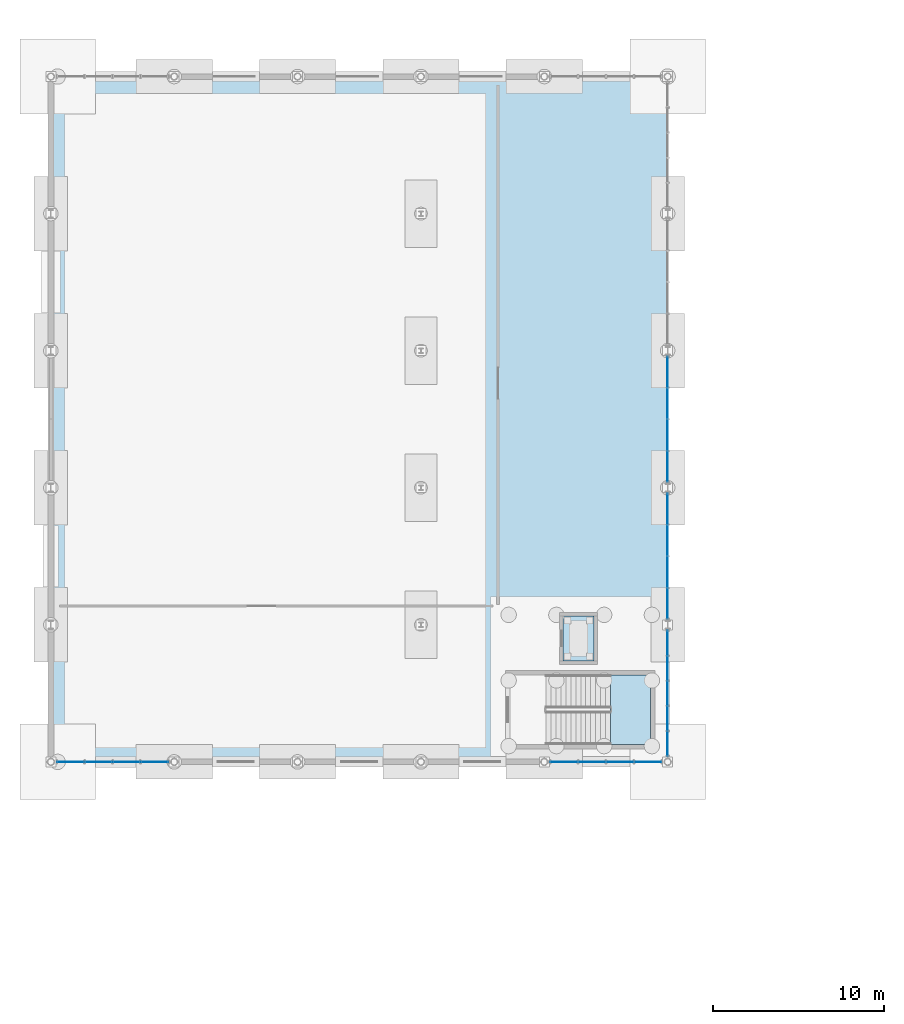
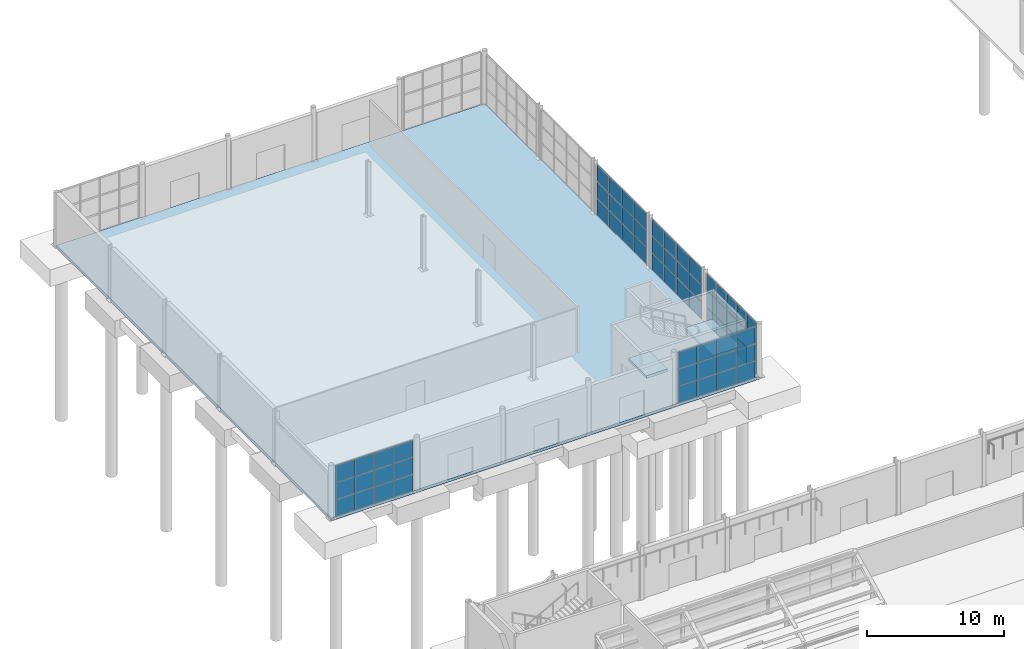
# One storey, part 65 of 101: 63 plates, 3 slabs, 6 elements without a shape of their own.
"""IFC4 building model written with IfcOpenShell, lengths in metres."""

import ifcopenshell
import ifcopenshell.guid

model = None  # the IFC model being written
_history = None  # IfcOwnerHistory: only IFC2X3 demands one
_inside = {}  # id of a spatial element -> (the spatial element, [elements in it])
_under = {}  # id of a project, library or spatial element -> (it, [spatial elements below it])
_declared = {}  # id of a project -> (the project, [libraries it declares])
_typed = {}  # id of a type object -> (the type object, [elements of that type])
_made_of = {}  # id of a material, layer set ... -> (it, [elements and type objects made of it])


def new_model(schema):
    """Start an empty IFC model of exactly this schema.

    Asked for "IFC4X3", IfcOpenShell would pick the latest addendum, in which some entities
    have other attributes; the version numbers below select the first issue.
    IFC2X3 requires an IfcOwnerHistory on every rooted entity: one is made here for all.
    """
    global model, _history
    if schema == "IFC4X3":
        model = ifcopenshell.file(schema_version=(4, 3, 0, 0))
    else:
        model = ifcopenshell.file(schema=schema)
    _inside.clear()
    _under.clear()
    _declared.clear()
    _typed.clear()
    _made_of.clear()
    _history = None
    if model.schema == "IFC2X3":
        org = make("IfcOrganization", Name="unknown")
        user = make(
            "IfcPersonAndOrganization",
            ThePerson=make("IfcPerson", FamilyName="unknown"),
            TheOrganization=org,
        )
        app = make(
            "IfcApplication",
            ApplicationDeveloper=org,
            Version="unknown",
            ApplicationFullName="unknown",
            ApplicationIdentifier="unknown",
        )
        _history = make(
            "IfcOwnerHistory",
            OwningUser=user,
            OwningApplication=app,
            ChangeAction="ADDED",
            CreationDate=0,
        )
    return model


def make(cls, **values):
    """One entity of the class cls with the attributes given. An attribute that is None is left unset."""
    return model.create_entity(
        cls, **{name: value for name, value in values.items() if value is not None}
    )


def rooted(cls, **values):
    """An entity with a GlobalId (a new one), such as an element, a storey or a relation."""
    return make(cls, GlobalId=ifcopenshell.guid.new(), OwnerHistory=_history, **values)


def si_unit(unit_type, name, prefix=None):
    """IfcSIUnit, for example si_unit("LENGTHUNIT", "METRE", prefix="MILLI")."""
    return make("IfcSIUnit", UnitType=unit_type, Prefix=prefix, Name=name)


def derived_unit(unit_type, elements):
    """IfcDerivedUnit: a product of units, each with its exponent."""
    return make(
        "IfcDerivedUnit",
        Elements=[
            make("IfcDerivedUnitElement", Unit=unit, Exponent=power)
            for unit, power in elements
        ],
        UnitType=unit_type,
    )


def assignment(units):
    """IfcUnitAssignment: the units of a project."""
    return None if units is None else make("IfcUnitAssignment", Units=units)


def point(xyz):
    """IfcCartesianPoint."""
    return None if xyz is None else make("IfcCartesianPoint", Coordinates=xyz)


def direction(xyz):
    """IfcDirection."""
    return None if xyz is None else make("IfcDirection", DirectionRatios=xyz)


def frame(location, z_axis=None, x_axis=None):
    """IfcAxis2Placement3D, a coordinate frame: its origin and axes. An axis left out is left unset."""
    return make(
        "IfcAxis2Placement3D",
        Location=point(location),
        Axis=direction(z_axis),
        RefDirection=direction(x_axis),
    )


def frame_2d(location, x_axis=None):
    """IfcAxis2Placement2D, a coordinate frame in the plane: its origin and x axis."""
    return make(
        "IfcAxis2Placement2D", Location=point(location), RefDirection=direction(x_axis)
    )


def origin():
    """The frame at (0, 0, 0) with its axes left unset."""
    return frame((0.0, 0.0, 0.0))


def origin_2d():
    """The frame at (0, 0) in the plane with its x axis left unset."""
    return frame_2d((0.0, 0.0))


def place(relative_to, where):
    """IfcLocalPlacement: puts the frame where relative to a parent placement (None: the world)."""
    return make(
        "IfcLocalPlacement", PlacementRelTo=relative_to, RelativePlacement=where
    )


def context(
    kind, dimensions, precision=None, world=None, true_north=None, identifier=None
):
    """IfcGeometricRepresentationContext, for example the 3D "Model" context."""
    return make(
        "IfcGeometricRepresentationContext",
        ContextIdentifier=identifier,
        ContextType=kind,
        CoordinateSpaceDimension=dimensions,
        Precision=precision,
        WorldCoordinateSystem=world,
        TrueNorth=true_north,
    )


def subcontext(parent, identifier, kind, view, scale=None):
    """IfcGeometricRepresentationSubContext, for example "Body" below "Model"."""
    return make(
        "IfcGeometricRepresentationSubContext",
        ContextIdentifier=identifier,
        ContextType=kind,
        ParentContext=parent,
        TargetScale=scale,
        TargetView=view,
    )


def project(units=None, contexts=None):
    """IfcProject with its units and contexts."""
    return rooted(
        "IfcProject",
        Name="project",
        RepresentationContexts=contexts,
        UnitsInContext=assignment(units),
    )


def spatial(cls, under=None, at=None, **own):
    """A site, building, storey or space (cls), placed at a placement, below another one or the project."""
    s = rooted(cls, ObjectPlacement=at, **own)
    if under is not None:
        _under.setdefault(under.id(), (under, []))[1].append(s)
    return s


def polyline(points):
    """IfcPolyline through the points."""
    return make("IfcPolyline", Points=[point(p) for p in points])


def profile(cls, at=None, kind="AREA", **sizes):
    """A parametric profile (cls). Its sizes go by their IFC names, for example OverallWidth=200.0."""
    return make(cls, ProfileType=kind, Position=at, **sizes)


def rectangle(**sizes):
    """IfcRectangleProfileDef."""
    return profile("IfcRectangleProfileDef", **sizes)


def outline(outer, holes=None, kind="AREA"):
    """IfcArbitraryClosedProfileDef: a profile drawn as a closed curve; with holes, ...WithVoids."""
    if holes is None:
        return make("IfcArbitraryClosedProfileDef", ProfileType=kind, OuterCurve=outer)
    return make(
        "IfcArbitraryProfileDefWithVoids",
        ProfileType=kind,
        OuterCurve=outer,
        InnerCurves=holes,
    )


def extrude(swept, where, along, depth):
    """IfcExtrudedAreaSolid: the profile swept, set in the frame where, extruded along a direction by depth."""
    return make(
        "IfcExtrudedAreaSolid",
        SweptArea=swept,
        Position=where,
        ExtrudedDirection=direction(along),
        Depth=depth,
    )


def shape(context_of_items, identifier, shape_type, items):
    """IfcShapeRepresentation: the items that make up one representation, for example the "Body"."""
    return make(
        "IfcShapeRepresentation",
        ContextOfItems=context_of_items,
        RepresentationIdentifier=identifier,
        RepresentationType=shape_type,
        Items=items,
    )


def material(Name=None, Category=None):
    """IfcMaterial."""
    return make("IfcMaterial", Name=Name, Category=Category)


def layer(
    of_material, thickness, ventilated=None, Name=None, Category=None, Priority=None
):
    """IfcMaterialLayer: one layer of a wall or slab, of a material (None: an air gap)."""
    return make(
        "IfcMaterialLayer",
        Material=of_material,
        LayerThickness=thickness,
        IsVentilated=ventilated,
        Name=Name,
        Category=Category,
        Priority=Priority,
    )


def layer_set(layers, Name=None):
    """IfcMaterialLayerSet."""
    return make("IfcMaterialLayerSet", MaterialLayers=layers, LayerSetName=Name)


def made_of(thing, what):
    """Note that an element or type object is made of a material, layer set ...; save() writes the relation."""
    if what is not None:
        _made_of.setdefault(what.id(), (what, []))[1].append(thing)
    return thing


def type_object(cls, material=None, **own):
    """A type object (cls), such as IfcWallType, which elements share."""
    return made_of(rooted(cls, **own), material)


def element(
    cls,
    number,
    at=None,
    inside=None,
    cuts=None,
    type_object=None,
    material=None,
    context=None,
    identifier="Body",
    shape_type=None,
    held_by="IfcProductDefinitionShape",
    body=None,
    shapes=None,
    **own,
):
    """One element of the class cls, such as IfcWall. Its Tag is "e" and its number.

    at: its placement. inside: the storey or other place that contains it. cuts: it is an
    opening in that element (IfcRelVoidsElement). A single representation is given by context,
    identifier, shape_type and body (its items); several are given by shapes. held_by: the class
    of the entity that holds the representations. save() writes the other relations.
    """
    e = rooted(cls, Tag="e%d" % number, ObjectPlacement=at, **own)
    if body is not None:
        shapes = [shape(context, identifier, shape_type, body)]
    if shapes is not None:
        e.Representation = make(held_by, Representations=shapes)
    if inside is not None:
        _inside.setdefault(inside.id(), (inside, []))[1].append(e)
    if cuts is not None:
        rooted(
            "IfcRelVoidsElement", RelatingBuildingElement=cuts, RelatedOpeningElement=e
        )
    if type_object is not None:
        _typed.setdefault(type_object.id(), (type_object, []))[1].append(e)
    return made_of(e, material)


def aggregate(whole, parts):
    """IfcRelAggregates: a whole, such as a stair, and the parts it consists of."""
    return rooted("IfcRelAggregates", RelatingObject=whole, RelatedObjects=parts)


def save(model, path):
    """Write the relations noted so far, then the file.

    IfcRelAggregates (storeys below a building ...), IfcRelContainedInSpatialStructure (elements
    in a storey), IfcRelDefinesByType, IfcRelAssociatesMaterial and IfcRelDeclares: one each for
    every whole, place, type object, material and project.
    """
    for whole, parts in _under.values():
        aggregate(whole, parts)
    for where, things in _inside.values():
        rooted(
            "IfcRelContainedInSpatialStructure",
            RelatedElements=things,
            RelatingStructure=where,
        )
    for kind, things in _typed.values():
        rooted("IfcRelDefinesByType", RelatedObjects=things, RelatingType=kind)
    for what, things in _made_of.values():
        rooted("IfcRelAssociatesMaterial", RelatedObjects=things, RelatingMaterial=what)
    for by, libraries in _declared.values():
        rooted("IfcRelDeclares", RelatingContext=by, RelatedDefinitions=libraries)
    model.write(path)


model = new_model("IFC4")

# Units and contexts
model_context = context("Model", 3, precision=1e-05, world=origin(), true_north=direction((0.0, 1.0)))
body_context = subcontext(model_context, "Body", "Model", "MODEL_VIEW")
ifc_project = project(units=[si_unit("LENGTHUNIT", "METRE"), si_unit("AREAUNIT", "SQUARE_METRE"), si_unit("VOLUMEUNIT", "CUBIC_METRE"), si_unit("PLANEANGLEUNIT", "RADIAN"), si_unit("MASSUNIT", "GRAM", prefix="KILO"), derived_unit("THERMALTRANSMITTANCEUNIT", [(si_unit("POWERUNIT", "WATT"), 1), (si_unit("LENGTHUNIT", "METRE"), -2), (si_unit("THERMODYNAMICTEMPERATUREUNIT", "KELVIN"), -1)])], contexts=[model_context])

# Site, building, storey
site_placement = place(None, origin())
site = spatial("IfcSite", under=ifc_project, at=site_placement, CompositionType="ELEMENT")
building_placement = place(site_placement, origin())
building = spatial("IfcBuilding", under=site, at=building_placement, Name="Keldorne Ridge Multi-Sports Centre", CompositionType="ELEMENT")
storey_placement = place(building_placement, origin())
storey = spatial("IfcBuildingStorey", under=building, at=storey_placement, Name="L00", CompositionType="ELEMENT", Elevation=0.0)

# Curtain wall, plates
ifc_material_1 = material(Name="Anodized aluminium", Category="aluminium")
curtain_wall_type_1 = type_object("IfcCurtainWallType", Name="CW-CW-02", PredefinedType="NOTDEFINED", material=ifc_material_1)
curtain_wall_1_placement = place(storey_placement, origin())
curtain_wall_1 = element("IfcCurtainWall", 1, at=curtain_wall_1_placement, inside=storey, type_object=curtain_wall_type_1, Name="Climbing east courtyard glazing L00 058", PredefinedType="NOTDEFINED")
ifc_material_2 = material(Name="Double low-e insulated glazing", Category="glass")
ifc_layer_1 = layer(ifc_material_2, 0.035888671875)
ifc_layer_set_1 = layer_set([ifc_layer_1])
plate_type_1 = type_object("IfcPlateType", Name="PLT-GL-01", PredefinedType="CURTAIN_PANEL", material=ifc_layer_set_1)
plate_1_placement = place(storey_placement, frame((42.0, 75.072021484375, 0.02001953125), z_axis=(0.0, 0.0, 1.0), x_axis=(0.0, 1.0, 0.0)))
plate_1 = element("IfcPlate", 2, at=plate_1_placement, type_object=plate_type_1, Name="CW-058 glazed panel 1.1", PredefinedType="CURTAIN_PANEL", context=body_context, shape_type="SweptSolid", body=[
    extrude(rectangle(XDim=1.424072265625, YDim=0.035888671875, at=origin_2d()), origin(), (0.0, 0.0, 1.0), 1.476806640625),
])
plate_2_placement = place(storey_placement, frame((42.0, 75.072021484375, 1.53662109375), z_axis=(0.0, 0.0, 1.0), x_axis=(0.0, 1.0, 0.0)))
plate_2 = element("IfcPlate", 3, at=plate_2_placement, type_object=plate_type_1, Name="CW-058 glazed panel 1.2", PredefinedType="CURTAIN_PANEL", context=body_context, shape_type="SweptSolid", body=[
    extrude(rectangle(XDim=1.424072265625, YDim=0.035888671875, at=origin_2d()), origin(), (0.0, 0.0, 1.0), 1.476806640625),
])
plate_3_placement = place(storey_placement, frame((42.0, 75.072021484375, 3.05322265625), z_axis=(0.0, 0.0, 1.0), x_axis=(0.0, 1.0, 0.0)))
plate_3 = element("IfcPlate", 4, at=plate_3_placement, type_object=plate_type_1, Name="CW-058 glazed panel 1.3", PredefinedType="CURTAIN_PANEL", context=body_context, shape_type="SweptSolid", body=[
    extrude(rectangle(XDim=1.424072265625, YDim=0.035888671875, at=origin_2d()), origin(), (0.0, 0.0, 1.0), 1.476806640625),
])
plate_4_placement = place(storey_placement, frame((42.0, 76.535888671875, 0.02001953125), z_axis=(0.0, 0.0, 1.0), x_axis=(0.0, 1.0, 0.0)))
plate_4 = element("IfcPlate", 5, at=plate_4_placement, type_object=plate_type_1, Name="CW-058 glazed panel 2.1", PredefinedType="CURTAIN_PANEL", context=body_context, shape_type="SweptSolid", body=[
    extrude(rectangle(XDim=1.424072265625, YDim=0.035888671875, at=origin_2d()), origin(), (0.0, 0.0, 1.0), 1.476806640625),
])
plate_5_placement = place(storey_placement, frame((42.0, 76.535888671875, 1.53662109375), z_axis=(0.0, 0.0, 1.0), x_axis=(0.0, 1.0, 0.0)))
plate_5 = element("IfcPlate", 6, at=plate_5_placement, type_object=plate_type_1, Name="CW-058 glazed panel 2.2", PredefinedType="CURTAIN_PANEL", context=body_context, shape_type="SweptSolid", body=[
    extrude(rectangle(XDim=1.424072265625, YDim=0.035888671875, at=origin_2d()), origin(), (0.0, 0.0, 1.0), 1.476806640625),
])
plate_6_placement = place(storey_placement, frame((42.0, 76.535888671875, 3.05322265625), z_axis=(0.0, 0.0, 1.0), x_axis=(0.0, 1.0, 0.0)))
plate_6 = element("IfcPlate", 7, at=plate_6_placement, type_object=plate_type_1, Name="CW-058 glazed panel 2.3", PredefinedType="CURTAIN_PANEL", context=body_context, shape_type="SweptSolid", body=[
    extrude(rectangle(XDim=1.424072265625, YDim=0.035888671875, at=origin_2d()), origin(), (0.0, 0.0, 1.0), 1.476806640625),
])
plate_7_placement = place(storey_placement, frame((42.0, 78.0, 0.02001953125), z_axis=(0.0, 0.0, 1.0), x_axis=(0.0, 1.0, 0.0)))
plate_7 = element("IfcPlate", 8, at=plate_7_placement, type_object=plate_type_1, Name="CW-058 glazed panel 3.1", PredefinedType="CURTAIN_PANEL", context=body_context, shape_type="SweptSolid", body=[
    extrude(rectangle(XDim=1.424072265625, YDim=0.035888671875, at=origin_2d()), origin(), (0.0, 0.0, 1.0), 1.476806640625),
])
plate_8_placement = place(storey_placement, frame((42.0, 78.0, 1.53662109375), z_axis=(0.0, 0.0, 1.0), x_axis=(0.0, 1.0, 0.0)))
plate_8 = element("IfcPlate", 9, at=plate_8_placement, type_object=plate_type_1, Name="CW-058 glazed panel 3.2", PredefinedType="CURTAIN_PANEL", context=body_context, shape_type="SweptSolid", body=[
    extrude(rectangle(XDim=1.424072265625, YDim=0.035888671875, at=origin_2d()), origin(), (0.0, 0.0, 1.0), 1.476806640625),
])
plate_9_placement = place(storey_placement, frame((42.0, 78.0, 3.05322265625), z_axis=(0.0, 0.0, 1.0), x_axis=(0.0, 1.0, 0.0)))
plate_9 = element("IfcPlate", 10, at=plate_9_placement, type_object=plate_type_1, Name="CW-058 glazed panel 3.3", PredefinedType="CURTAIN_PANEL", context=body_context, shape_type="SweptSolid", body=[
    extrude(rectangle(XDim=1.424072265625, YDim=0.035888671875, at=origin_2d()), origin(), (0.0, 0.0, 1.0), 1.476806640625),
])
plate_10_placement = place(storey_placement, frame((42.0, 79.464111328125, 0.02001953125), z_axis=(0.0, 0.0, 1.0), x_axis=(0.0, 1.0, 0.0)))
plate_10 = element("IfcPlate", 11, at=plate_10_placement, type_object=plate_type_1, Name="CW-058 glazed panel 4.1", PredefinedType="CURTAIN_PANEL", context=body_context, shape_type="SweptSolid", body=[
    extrude(rectangle(XDim=1.424072265625, YDim=0.035888671875, at=origin_2d()), origin(), (0.0, 0.0, 1.0), 1.476806640625),
])
plate_11_placement = place(storey_placement, frame((42.0, 79.464111328125, 1.53662109375), z_axis=(0.0, 0.0, 1.0), x_axis=(0.0, 1.0, 0.0)))
plate_11 = element("IfcPlate", 12, at=plate_11_placement, type_object=plate_type_1, Name="CW-058 glazed panel 4.2", PredefinedType="CURTAIN_PANEL", context=body_context, shape_type="SweptSolid", body=[
    extrude(rectangle(XDim=1.424072265625, YDim=0.035888671875, at=origin_2d()), origin(), (0.0, 0.0, 1.0), 1.476806640625),
])
plate_12_placement = place(storey_placement, frame((42.0, 79.464111328125, 3.05322265625), z_axis=(0.0, 0.0, 1.0), x_axis=(0.0, 1.0, 0.0)))
plate_12 = element("IfcPlate", 13, at=plate_12_placement, type_object=plate_type_1, Name="CW-058 glazed panel 4.3", PredefinedType="CURTAIN_PANEL", context=body_context, shape_type="SweptSolid", body=[
    extrude(rectangle(XDim=1.424072265625, YDim=0.035888671875, at=origin_2d()), origin(), (0.0, 0.0, 1.0), 1.476806640625),
])
plate_13_placement = place(storey_placement, frame((42.0, 80.927978515625, 0.02001953125), z_axis=(0.0, 0.0, 1.0), x_axis=(0.0, 1.0, 0.0)))
plate_13 = element("IfcPlate", 14, at=plate_13_placement, type_object=plate_type_1, Name="CW-058 glazed panel 5.1", PredefinedType="CURTAIN_PANEL", context=body_context, shape_type="SweptSolid", body=[
    extrude(rectangle(XDim=1.424072265625, YDim=0.035888671875, at=origin_2d()), origin(), (0.0, 0.0, 1.0), 1.476806640625),
])
plate_14_placement = place(storey_placement, frame((42.0, 80.927978515625, 1.53662109375), z_axis=(0.0, 0.0, 1.0), x_axis=(0.0, 1.0, 0.0)))
plate_14 = element("IfcPlate", 15, at=plate_14_placement, type_object=plate_type_1, Name="CW-058 glazed panel 5.2", PredefinedType="CURTAIN_PANEL", context=body_context, shape_type="SweptSolid", body=[
    extrude(rectangle(XDim=1.424072265625, YDim=0.035888671875, at=origin_2d()), origin(), (0.0, 0.0, 1.0), 1.476806640625),
])
plate_15_placement = place(storey_placement, frame((42.0, 80.927978515625, 3.05322265625), z_axis=(0.0, 0.0, 1.0), x_axis=(0.0, 1.0, 0.0)))
plate_15 = element("IfcPlate", 16, at=plate_15_placement, type_object=plate_type_1, Name="CW-058 glazed panel 5.3", PredefinedType="CURTAIN_PANEL", context=body_context, shape_type="SweptSolid", body=[
    extrude(rectangle(XDim=1.424072265625, YDim=0.035888671875, at=origin_2d()), origin(), (0.0, 0.0, 1.0), 1.476806640625),
])
aggregate(curtain_wall_1, [plate_1, plate_2, plate_3, plate_4, plate_5, plate_6, plate_7, plate_8, plate_9, plate_10, plate_11, plate_12, plate_13, plate_14, plate_15])

curtain_wall_type_2 = type_object("IfcCurtainWallType", Name="CW-CW-05", PredefinedType="NOTDEFINED", material=ifc_material_1)
curtain_wall_2_placement = place(storey_placement, origin())
curtain_wall_2 = element("IfcCurtainWall", 17, at=curtain_wall_2_placement, inside=storey, type_object=curtain_wall_type_2, Name="Climbing east courtyard glazing L00 061", PredefinedType="NOTDEFINED")
plate_16_placement = place(storey_placement, frame((42.0, 83.2548828125, 0.02001953125), z_axis=(0.0, 0.0, 1.0), x_axis=(0.0, 1.0, 0.0)))
plate_16 = element("IfcPlate", 18, at=plate_16_placement, type_object=plate_type_1, Name="CW-061 glazed panel 1.1", PredefinedType="CURTAIN_PANEL", context=body_context, shape_type="SweptSolid", body=[
    extrude(rectangle(XDim=1.7900390625, YDim=0.035888671875, at=origin_2d()), origin(), (0.0, 0.0, 1.0), 1.476806640625),
])
plate_17_placement = place(storey_placement, frame((42.0, 83.2548828125, 1.53662109375), z_axis=(0.0, 0.0, 1.0), x_axis=(0.0, 1.0, 0.0)))
plate_17 = element("IfcPlate", 19, at=plate_17_placement, type_object=plate_type_1, Name="CW-061 glazed panel 1.2", PredefinedType="CURTAIN_PANEL", context=body_context, shape_type="SweptSolid", body=[
    extrude(rectangle(XDim=1.7900390625, YDim=0.035888671875, at=origin_2d()), origin(), (0.0, 0.0, 1.0), 1.476806640625),
])
plate_18_placement = place(storey_placement, frame((42.0, 83.2548828125, 3.05322265625), z_axis=(0.0, 0.0, 1.0), x_axis=(0.0, 1.0, 0.0)))
plate_18 = element("IfcPlate", 20, at=plate_18_placement, type_object=plate_type_1, Name="CW-061 glazed panel 1.3", PredefinedType="CURTAIN_PANEL", context=body_context, shape_type="SweptSolid", body=[
    extrude(rectangle(XDim=1.7900390625, YDim=0.035888671875, at=origin_2d()), origin(), (0.0, 0.0, 1.0), 1.476806640625),
])
plate_19_placement = place(storey_placement, frame((42.0, 85.0849609375, 0.02001953125), z_axis=(0.0, 0.0, 1.0), x_axis=(0.0, 1.0, 0.0)))
plate_19 = element("IfcPlate", 21, at=plate_19_placement, type_object=plate_type_1, Name="CW-061 glazed panel 2.1", PredefinedType="CURTAIN_PANEL", context=body_context, shape_type="SweptSolid", body=[
    extrude(rectangle(XDim=1.7900390625, YDim=0.035888671875, at=origin_2d()), origin(), (0.0, 0.0, 1.0), 1.476806640625),
])
plate_20_placement = place(storey_placement, frame((42.0, 85.0849609375, 1.53662109375), z_axis=(0.0, 0.0, 1.0), x_axis=(0.0, 1.0, 0.0)))
plate_20 = element("IfcPlate", 22, at=plate_20_placement, type_object=plate_type_1, Name="CW-061 glazed panel 2.2", PredefinedType="CURTAIN_PANEL", context=body_context, shape_type="SweptSolid", body=[
    extrude(rectangle(XDim=1.7900390625, YDim=0.035888671875, at=origin_2d()), origin(), (0.0, 0.0, 1.0), 1.476806640625),
])
plate_21_placement = place(storey_placement, frame((42.0, 85.0849609375, 3.05322265625), z_axis=(0.0, 0.0, 1.0), x_axis=(0.0, 1.0, 0.0)))
plate_21 = element("IfcPlate", 23, at=plate_21_placement, type_object=plate_type_1, Name="CW-061 glazed panel 2.3", PredefinedType="CURTAIN_PANEL", context=body_context, shape_type="SweptSolid", body=[
    extrude(rectangle(XDim=1.7900390625, YDim=0.035888671875, at=origin_2d()), origin(), (0.0, 0.0, 1.0), 1.476806640625),
])
plate_22_placement = place(storey_placement, frame((42.0, 86.9150390625, 0.02001953125), z_axis=(0.0, 0.0, 1.0), x_axis=(0.0, 1.0, 0.0)))
plate_22 = element("IfcPlate", 24, at=plate_22_placement, type_object=plate_type_1, Name="CW-061 glazed panel 3.1", PredefinedType="CURTAIN_PANEL", context=body_context, shape_type="SweptSolid", body=[
    extrude(rectangle(XDim=1.7900390625, YDim=0.035888671875, at=origin_2d()), origin(), (0.0, 0.0, 1.0), 1.476806640625),
])
plate_23_placement = place(storey_placement, frame((42.0, 86.9150390625, 1.53662109375), z_axis=(0.0, 0.0, 1.0), x_axis=(0.0, 1.0, 0.0)))
plate_23 = element("IfcPlate", 25, at=plate_23_placement, type_object=plate_type_1, Name="CW-061 glazed panel 3.2", PredefinedType="CURTAIN_PANEL", context=body_context, shape_type="SweptSolid", body=[
    extrude(rectangle(XDim=1.7900390625, YDim=0.035888671875, at=origin_2d()), origin(), (0.0, 0.0, 1.0), 1.476806640625),
])
plate_24_placement = place(storey_placement, frame((42.0, 86.9150390625, 3.05322265625), z_axis=(0.0, 0.0, 1.0), x_axis=(0.0, 1.0, 0.0)))
plate_24 = element("IfcPlate", 26, at=plate_24_placement, type_object=plate_type_1, Name="CW-061 glazed panel 3.3", PredefinedType="CURTAIN_PANEL", context=body_context, shape_type="SweptSolid", body=[
    extrude(rectangle(XDim=1.7900390625, YDim=0.035888671875, at=origin_2d()), origin(), (0.0, 0.0, 1.0), 1.476806640625),
])
plate_25_placement = place(storey_placement, frame((42.0, 88.7451171875, 0.02001953125), z_axis=(0.0, 0.0, 1.0), x_axis=(0.0, 1.0, 0.0)))
plate_25 = element("IfcPlate", 27, at=plate_25_placement, type_object=plate_type_1, Name="CW-061 glazed panel 4.1", PredefinedType="CURTAIN_PANEL", context=body_context, shape_type="SweptSolid", body=[
    extrude(rectangle(XDim=1.7900390625, YDim=0.035888671875, at=origin_2d()), origin(), (0.0, 0.0, 1.0), 1.476806640625),
])
plate_26_placement = place(storey_placement, frame((42.0, 88.7451171875, 1.53662109375), z_axis=(0.0, 0.0, 1.0), x_axis=(0.0, 1.0, 0.0)))
plate_26 = element("IfcPlate", 28, at=plate_26_placement, type_object=plate_type_1, Name="CW-061 glazed panel 4.2", PredefinedType="CURTAIN_PANEL", context=body_context, shape_type="SweptSolid", body=[
    extrude(rectangle(XDim=1.7900390625, YDim=0.035888671875, at=origin_2d()), origin(), (0.0, 0.0, 1.0), 1.476806640625),
])
plate_27_placement = place(storey_placement, frame((42.0, 88.7451171875, 3.05322265625), z_axis=(0.0, 0.0, 1.0), x_axis=(0.0, 1.0, 0.0)))
plate_27 = element("IfcPlate", 29, at=plate_27_placement, type_object=plate_type_1, Name="CW-061 glazed panel 4.3", PredefinedType="CURTAIN_PANEL", context=body_context, shape_type="SweptSolid", body=[
    extrude(rectangle(XDim=1.7900390625, YDim=0.035888671875, at=origin_2d()), origin(), (0.0, 0.0, 1.0), 1.476806640625),
])
aggregate(curtain_wall_2, [plate_16, plate_17, plate_18, plate_19, plate_20, plate_21, plate_22, plate_23, plate_24, plate_25, plate_26, plate_27])

curtain_wall_type_3 = type_object("IfcCurtainWallType", Name="CW-CW-08", PredefinedType="NOTDEFINED", material=ifc_material_1)
curtain_wall_3_placement = place(storey_placement, origin())
curtain_wall_3 = element("IfcCurtainWall", 30, at=curtain_wall_3_placement, inside=storey, type_object=curtain_wall_type_3, Name="Climbing east courtyard glazing L00 064", PredefinedType="NOTDEFINED")
plate_28_placement = place(storey_placement, frame((42.0, 91.2548828125, 0.02001953125), z_axis=(0.0, 0.0, 1.0), x_axis=(0.0, 1.0, 0.0)))
plate_28 = element("IfcPlate", 31, at=plate_28_placement, type_object=plate_type_1, Name="CW-064 glazed panel 1.1", PredefinedType="CURTAIN_PANEL", context=body_context, shape_type="SweptSolid", body=[
    extrude(rectangle(XDim=1.7900390625, YDim=0.035888671875, at=origin_2d()), origin(), (0.0, 0.0, 1.0), 1.476806640625),
])
plate_29_placement = place(storey_placement, frame((42.0, 91.2548828125, 1.53662109375), z_axis=(0.0, 0.0, 1.0), x_axis=(0.0, 1.0, 0.0)))
plate_29 = element("IfcPlate", 32, at=plate_29_placement, type_object=plate_type_1, Name="CW-064 glazed panel 1.2", PredefinedType="CURTAIN_PANEL", context=body_context, shape_type="SweptSolid", body=[
    extrude(rectangle(XDim=1.7900390625, YDim=0.035888671875, at=origin_2d()), origin(), (0.0, 0.0, 1.0), 1.476806640625),
])
plate_30_placement = place(storey_placement, frame((42.0, 91.2548828125, 3.05322265625), z_axis=(0.0, 0.0, 1.0), x_axis=(0.0, 1.0, 0.0)))
plate_30 = element("IfcPlate", 33, at=plate_30_placement, type_object=plate_type_1, Name="CW-064 glazed panel 1.3", PredefinedType="CURTAIN_PANEL", context=body_context, shape_type="SweptSolid", body=[
    extrude(rectangle(XDim=1.7900390625, YDim=0.035888671875, at=origin_2d()), origin(), (0.0, 0.0, 1.0), 1.476806640625),
])
plate_31_placement = place(storey_placement, frame((42.0, 93.0849609375, 0.02001953125), z_axis=(0.0, 0.0, 1.0), x_axis=(0.0, 1.0, 0.0)))
plate_31 = element("IfcPlate", 34, at=plate_31_placement, type_object=plate_type_1, Name="CW-064 glazed panel 2.1", PredefinedType="CURTAIN_PANEL", context=body_context, shape_type="SweptSolid", body=[
    extrude(rectangle(XDim=1.7900390625, YDim=0.035888671875, at=origin_2d()), origin(), (0.0, 0.0, 1.0), 1.476806640625),
])
plate_32_placement = place(storey_placement, frame((42.0, 93.0849609375, 1.53662109375), z_axis=(0.0, 0.0, 1.0), x_axis=(0.0, 1.0, 0.0)))
plate_32 = element("IfcPlate", 35, at=plate_32_placement, type_object=plate_type_1, Name="CW-064 glazed panel 2.2", PredefinedType="CURTAIN_PANEL", context=body_context, shape_type="SweptSolid", body=[
    extrude(rectangle(XDim=1.7900390625, YDim=0.035888671875, at=origin_2d()), origin(), (0.0, 0.0, 1.0), 1.476806640625),
])
plate_33_placement = place(storey_placement, frame((42.0, 93.0849609375, 3.05322265625), z_axis=(0.0, 0.0, 1.0), x_axis=(0.0, 1.0, 0.0)))
plate_33 = element("IfcPlate", 36, at=plate_33_placement, type_object=plate_type_1, Name="CW-064 glazed panel 2.3", PredefinedType="CURTAIN_PANEL", context=body_context, shape_type="SweptSolid", body=[
    extrude(rectangle(XDim=1.7900390625, YDim=0.035888671875, at=origin_2d()), origin(), (0.0, 0.0, 1.0), 1.476806640625),
])
plate_34_placement = place(storey_placement, frame((42.0, 94.9150390625, 0.02001953125), z_axis=(0.0, 0.0, 1.0), x_axis=(0.0, 1.0, 0.0)))
plate_34 = element("IfcPlate", 37, at=plate_34_placement, type_object=plate_type_1, Name="CW-064 glazed panel 3.1", PredefinedType="CURTAIN_PANEL", context=body_context, shape_type="SweptSolid", body=[
    extrude(rectangle(XDim=1.7900390625, YDim=0.035888671875, at=origin_2d()), origin(), (0.0, 0.0, 1.0), 1.476806640625),
])
plate_35_placement = place(storey_placement, frame((42.0, 94.9150390625, 1.53662109375), z_axis=(0.0, 0.0, 1.0), x_axis=(0.0, 1.0, 0.0)))
plate_35 = element("IfcPlate", 38, at=plate_35_placement, type_object=plate_type_1, Name="CW-064 glazed panel 3.2", PredefinedType="CURTAIN_PANEL", context=body_context, shape_type="SweptSolid", body=[
    extrude(rectangle(XDim=1.7900390625, YDim=0.035888671875, at=origin_2d()), origin(), (0.0, 0.0, 1.0), 1.476806640625),
])
plate_36_placement = place(storey_placement, frame((42.0, 94.9150390625, 3.05322265625), z_axis=(0.0, 0.0, 1.0), x_axis=(0.0, 1.0, 0.0)))
plate_36 = element("IfcPlate", 39, at=plate_36_placement, type_object=plate_type_1, Name="CW-064 glazed panel 3.3", PredefinedType="CURTAIN_PANEL", context=body_context, shape_type="SweptSolid", body=[
    extrude(rectangle(XDim=1.7900390625, YDim=0.035888671875, at=origin_2d()), origin(), (0.0, 0.0, 1.0), 1.476806640625),
])
plate_37_placement = place(storey_placement, frame((42.0, 96.7451171875, 0.02001953125), z_axis=(0.0, 0.0, 1.0), x_axis=(0.0, 1.0, 0.0)))
plate_37 = element("IfcPlate", 40, at=plate_37_placement, type_object=plate_type_1, Name="CW-064 glazed panel 4.1", PredefinedType="CURTAIN_PANEL", context=body_context, shape_type="SweptSolid", body=[
    extrude(rectangle(XDim=1.7900390625, YDim=0.035888671875, at=origin_2d()), origin(), (0.0, 0.0, 1.0), 1.476806640625),
])
plate_38_placement = place(storey_placement, frame((42.0, 96.7451171875, 1.53662109375), z_axis=(0.0, 0.0, 1.0), x_axis=(0.0, 1.0, 0.0)))
plate_38 = element("IfcPlate", 41, at=plate_38_placement, type_object=plate_type_1, Name="CW-064 glazed panel 4.2", PredefinedType="CURTAIN_PANEL", context=body_context, shape_type="SweptSolid", body=[
    extrude(rectangle(XDim=1.7900390625, YDim=0.035888671875, at=origin_2d()), origin(), (0.0, 0.0, 1.0), 1.476806640625),
])
plate_39_placement = place(storey_placement, frame((42.0, 96.7451171875, 3.05322265625), z_axis=(0.0, 0.0, 1.0), x_axis=(0.0, 1.0, 0.0)))
plate_39 = element("IfcPlate", 42, at=plate_39_placement, type_object=plate_type_1, Name="CW-064 glazed panel 4.3", PredefinedType="CURTAIN_PANEL", context=body_context, shape_type="SweptSolid", body=[
    extrude(rectangle(XDim=1.7900390625, YDim=0.035888671875, at=origin_2d()), origin(), (0.0, 0.0, 1.0), 1.476806640625),
])
aggregate(curtain_wall_3, [plate_28, plate_29, plate_30, plate_31, plate_32, plate_33, plate_34, plate_35, plate_36, plate_37, plate_38, plate_39])

curtain_wall_4_placement = place(storey_placement, origin())
curtain_wall_4 = element("IfcCurtainWall", 43, at=curtain_wall_4_placement, inside=storey, type_object=curtain_wall_type_1, Name="Climbing south curtain wall 034", PredefinedType="NOTDEFINED")
ifc_material_3 = material(Name="Triple acoustic low-e glazing", Category="glass")
ifc_layer_2 = layer(ifc_material_3, 0.0439453125)
ifc_layer_set_2 = layer_set([ifc_layer_2])
plate_type_2 = type_object("IfcPlateType", Name="PLT-GL-02", PredefinedType="CURTAIN_PANEL", material=ifc_layer_set_2)
plate_40_placement = place(storey_placement, frame((7.155029296875, 74.0, 0.02001953125), z_axis=(0.0, 0.0, 1.0), x_axis=(1.0, 0.0, 0.0)))
plate_40 = element("IfcPlate", 44, at=plate_40_placement, type_object=plate_type_2, Name="CW-034 glazed panel 1.1", PredefinedType="CURTAIN_PANEL", context=body_context, shape_type="SweptSolid", body=[
    extrude(rectangle(XDim=1.590087890625, YDim=0.0439453125, at=origin_2d()), origin(), (0.0, 0.0, 1.0), 1.476806640625),
])
plate_41_placement = place(storey_placement, frame((7.155029296875, 74.0, 1.53662109375), z_axis=(0.0, 0.0, 1.0), x_axis=(1.0, 0.0, 0.0)))
plate_41 = element("IfcPlate", 45, at=plate_41_placement, type_object=plate_type_2, Name="CW-034 glazed panel 1.2", PredefinedType="CURTAIN_PANEL", context=body_context, shape_type="SweptSolid", body=[
    extrude(rectangle(XDim=1.590087890625, YDim=0.0439453125, at=origin_2d()), origin(), (0.0, 0.0, 1.0), 1.476806640625),
])
plate_42_placement = place(storey_placement, frame((7.155029296875, 74.0, 3.05322265625), z_axis=(0.0, 0.0, 1.0), x_axis=(1.0, 0.0, 0.0)))
plate_42 = element("IfcPlate", 46, at=plate_42_placement, type_object=plate_type_2, Name="CW-034 glazed panel 1.3", PredefinedType="CURTAIN_PANEL", context=body_context, shape_type="SweptSolid", body=[
    extrude(rectangle(XDim=1.590087890625, YDim=0.0439453125, at=origin_2d()), origin(), (0.0, 0.0, 1.0), 1.476806640625),
])
plate_43_placement = place(storey_placement, frame((8.784912109375, 74.0, 0.02001953125), z_axis=(0.0, 0.0, 1.0), x_axis=(1.0, 0.0, 0.0)))
plate_43 = element("IfcPlate", 47, at=plate_43_placement, type_object=plate_type_2, Name="CW-034 glazed panel 2.1", PredefinedType="CURTAIN_PANEL", context=body_context, shape_type="SweptSolid", body=[
    extrude(rectangle(XDim=1.590087890625, YDim=0.0439453125, at=origin_2d()), origin(), (0.0, 0.0, 1.0), 1.476806640625),
])
plate_44_placement = place(storey_placement, frame((8.784912109375, 74.0, 1.53662109375), z_axis=(0.0, 0.0, 1.0), x_axis=(1.0, 0.0, 0.0)))
plate_44 = element("IfcPlate", 48, at=plate_44_placement, type_object=plate_type_2, Name="CW-034 glazed panel 2.2", PredefinedType="CURTAIN_PANEL", context=body_context, shape_type="SweptSolid", body=[
    extrude(rectangle(XDim=1.590087890625, YDim=0.0439453125, at=origin_2d()), origin(), (0.0, 0.0, 1.0), 1.476806640625),
])
plate_45_placement = place(storey_placement, frame((8.784912109375, 74.0, 3.05322265625), z_axis=(0.0, 0.0, 1.0), x_axis=(1.0, 0.0, 0.0)))
plate_45 = element("IfcPlate", 49, at=plate_45_placement, type_object=plate_type_2, Name="CW-034 glazed panel 2.3", PredefinedType="CURTAIN_PANEL", context=body_context, shape_type="SweptSolid", body=[
    extrude(rectangle(XDim=1.590087890625, YDim=0.0439453125, at=origin_2d()), origin(), (0.0, 0.0, 1.0), 1.476806640625),
])
plate_46_placement = place(storey_placement, frame((10.4150390625, 74.0, 0.02001953125), z_axis=(0.0, 0.0, 1.0), x_axis=(1.0, 0.0, 0.0)))
plate_46 = element("IfcPlate", 50, at=plate_46_placement, type_object=plate_type_2, Name="CW-034 glazed panel 3.1", PredefinedType="CURTAIN_PANEL", context=body_context, shape_type="SweptSolid", body=[
    extrude(rectangle(XDim=1.590087890625, YDim=0.0439453125, at=origin_2d()), origin(), (0.0, 0.0, 1.0), 1.476806640625),
])
plate_47_placement = place(storey_placement, frame((10.4150390625, 74.0, 1.53662109375), z_axis=(0.0, 0.0, 1.0), x_axis=(1.0, 0.0, 0.0)))
plate_47 = element("IfcPlate", 51, at=plate_47_placement, type_object=plate_type_2, Name="CW-034 glazed panel 3.2", PredefinedType="CURTAIN_PANEL", context=body_context, shape_type="SweptSolid", body=[
    extrude(rectangle(XDim=1.590087890625, YDim=0.0439453125, at=origin_2d()), origin(), (0.0, 0.0, 1.0), 1.476806640625),
])
plate_48_placement = place(storey_placement, frame((10.4150390625, 74.0, 3.05322265625), z_axis=(0.0, 0.0, 1.0), x_axis=(1.0, 0.0, 0.0)))
plate_48 = element("IfcPlate", 52, at=plate_48_placement, type_object=plate_type_2, Name="CW-034 glazed panel 3.3", PredefinedType="CURTAIN_PANEL", context=body_context, shape_type="SweptSolid", body=[
    extrude(rectangle(XDim=1.590087890625, YDim=0.0439453125, at=origin_2d()), origin(), (0.0, 0.0, 1.0), 1.476806640625),
])
plate_49_placement = place(storey_placement, frame((12.044921875, 74.0, 0.02001953125), z_axis=(0.0, 0.0, 1.0), x_axis=(1.0, 0.0, 0.0)))
plate_49 = element("IfcPlate", 53, at=plate_49_placement, type_object=plate_type_2, Name="CW-034 glazed panel 4.1", PredefinedType="CURTAIN_PANEL", context=body_context, shape_type="SweptSolid", body=[
    extrude(rectangle(XDim=1.590087890625, YDim=0.0439453125, at=origin_2d()), origin(), (0.0, 0.0, 1.0), 1.476806640625),
])
plate_50_placement = place(storey_placement, frame((12.044921875, 74.0, 1.53662109375), z_axis=(0.0, 0.0, 1.0), x_axis=(1.0, 0.0, 0.0)))
plate_50 = element("IfcPlate", 54, at=plate_50_placement, type_object=plate_type_2, Name="CW-034 glazed panel 4.2", PredefinedType="CURTAIN_PANEL", context=body_context, shape_type="SweptSolid", body=[
    extrude(rectangle(XDim=1.590087890625, YDim=0.0439453125, at=origin_2d()), origin(), (0.0, 0.0, 1.0), 1.476806640625),
])
plate_51_placement = place(storey_placement, frame((12.044921875, 74.0, 3.05322265625), z_axis=(0.0, 0.0, 1.0), x_axis=(1.0, 0.0, 0.0)))
plate_51 = element("IfcPlate", 55, at=plate_51_placement, type_object=plate_type_2, Name="CW-034 glazed panel 4.3", PredefinedType="CURTAIN_PANEL", context=body_context, shape_type="SweptSolid", body=[
    extrude(rectangle(XDim=1.590087890625, YDim=0.0439453125, at=origin_2d()), origin(), (0.0, 0.0, 1.0), 1.476806640625),
])
aggregate(curtain_wall_4, [plate_40, plate_41, plate_42, plate_43, plate_44, plate_45, plate_46, plate_47, plate_48, plate_49, plate_50, plate_51])

curtain_wall_type_4 = type_object("IfcCurtainWallType", Name="CW-CW-04", PredefinedType="NOTDEFINED", material=ifc_material_1)
curtain_wall_5_placement = place(storey_placement, origin())
curtain_wall_5 = element("IfcCurtainWall", 56, at=curtain_wall_5_placement, inside=storey, type_object=curtain_wall_type_4, Name="Climbing south curtain wall 052", PredefinedType="NOTDEFINED")
plate_52_placement = place(storey_placement, frame((35.955078125, 74.0, 0.02001953125), z_axis=(0.0, 0.0, 1.0), x_axis=(1.0, 0.0, 0.0)))
plate_52 = element("IfcPlate", 57, at=plate_52_placement, type_object=plate_type_2, Name="CW-052 glazed panel 1.1", PredefinedType="CURTAIN_PANEL", context=body_context, shape_type="SweptSolid", body=[
    extrude(rectangle(XDim=1.590087890625, YDim=0.0439453125, at=origin_2d()), origin(), (0.0, 0.0, 1.0), 1.476806640625),
])
plate_53_placement = place(storey_placement, frame((35.955078125, 74.0, 1.53662109375), z_axis=(0.0, 0.0, 1.0), x_axis=(1.0, 0.0, 0.0)))
plate_53 = element("IfcPlate", 58, at=plate_53_placement, type_object=plate_type_2, Name="CW-052 glazed panel 1.2", PredefinedType="CURTAIN_PANEL", context=body_context, shape_type="SweptSolid", body=[
    extrude(rectangle(XDim=1.590087890625, YDim=0.0439453125, at=origin_2d()), origin(), (0.0, 0.0, 1.0), 1.476806640625),
])
plate_54_placement = place(storey_placement, frame((35.955078125, 74.0, 3.05322265625), z_axis=(0.0, 0.0, 1.0), x_axis=(1.0, 0.0, 0.0)))
plate_54 = element("IfcPlate", 59, at=plate_54_placement, type_object=plate_type_2, Name="CW-052 glazed panel 1.3", PredefinedType="CURTAIN_PANEL", context=body_context, shape_type="SweptSolid", body=[
    extrude(rectangle(XDim=1.590087890625, YDim=0.0439453125, at=origin_2d()), origin(), (0.0, 0.0, 1.0), 1.476806640625),
])
plate_55_placement = place(storey_placement, frame((37.5849609375, 74.0, 0.02001953125), z_axis=(0.0, 0.0, 1.0), x_axis=(1.0, 0.0, 0.0)))
plate_55 = element("IfcPlate", 60, at=plate_55_placement, type_object=plate_type_2, Name="CW-052 glazed panel 2.1", PredefinedType="CURTAIN_PANEL", context=body_context, shape_type="SweptSolid", body=[
    extrude(rectangle(XDim=1.590087890625, YDim=0.0439453125, at=origin_2d()), origin(), (0.0, 0.0, 1.0), 1.476806640625),
])
plate_56_placement = place(storey_placement, frame((37.5849609375, 74.0, 1.53662109375), z_axis=(0.0, 0.0, 1.0), x_axis=(1.0, 0.0, 0.0)))
plate_56 = element("IfcPlate", 61, at=plate_56_placement, type_object=plate_type_2, Name="CW-052 glazed panel 2.2", PredefinedType="CURTAIN_PANEL", context=body_context, shape_type="SweptSolid", body=[
    extrude(rectangle(XDim=1.590087890625, YDim=0.0439453125, at=origin_2d()), origin(), (0.0, 0.0, 1.0), 1.476806640625),
])
plate_57_placement = place(storey_placement, frame((37.5849609375, 74.0, 3.05322265625), z_axis=(0.0, 0.0, 1.0), x_axis=(1.0, 0.0, 0.0)))
plate_57 = element("IfcPlate", 62, at=plate_57_placement, type_object=plate_type_2, Name="CW-052 glazed panel 2.3", PredefinedType="CURTAIN_PANEL", context=body_context, shape_type="SweptSolid", body=[
    extrude(rectangle(XDim=1.590087890625, YDim=0.0439453125, at=origin_2d()), origin(), (0.0, 0.0, 1.0), 1.476806640625),
])
plate_58_placement = place(storey_placement, frame((39.215087890625, 74.0, 0.02001953125), z_axis=(0.0, 0.0, 1.0), x_axis=(1.0, 0.0, 0.0)))
plate_58 = element("IfcPlate", 63, at=plate_58_placement, type_object=plate_type_2, Name="CW-052 glazed panel 3.1", PredefinedType="CURTAIN_PANEL", context=body_context, shape_type="SweptSolid", body=[
    extrude(rectangle(XDim=1.590087890625, YDim=0.0439453125, at=origin_2d()), origin(), (0.0, 0.0, 1.0), 1.476806640625),
])
plate_59_placement = place(storey_placement, frame((39.215087890625, 74.0, 1.53662109375), z_axis=(0.0, 0.0, 1.0), x_axis=(1.0, 0.0, 0.0)))
plate_59 = element("IfcPlate", 64, at=plate_59_placement, type_object=plate_type_2, Name="CW-052 glazed panel 3.2", PredefinedType="CURTAIN_PANEL", context=body_context, shape_type="SweptSolid", body=[
    extrude(rectangle(XDim=1.590087890625, YDim=0.0439453125, at=origin_2d()), origin(), (0.0, 0.0, 1.0), 1.476806640625),
])
plate_60_placement = place(storey_placement, frame((39.215087890625, 74.0, 3.05322265625), z_axis=(0.0, 0.0, 1.0), x_axis=(1.0, 0.0, 0.0)))
plate_60 = element("IfcPlate", 65, at=plate_60_placement, type_object=plate_type_2, Name="CW-052 glazed panel 3.3", PredefinedType="CURTAIN_PANEL", context=body_context, shape_type="SweptSolid", body=[
    extrude(rectangle(XDim=1.590087890625, YDim=0.0439453125, at=origin_2d()), origin(), (0.0, 0.0, 1.0), 1.476806640625),
])
plate_61_placement = place(storey_placement, frame((40.844970703125, 74.0, 0.02001953125), z_axis=(0.0, 0.0, 1.0), x_axis=(1.0, 0.0, 0.0)))
plate_61 = element("IfcPlate", 66, at=plate_61_placement, type_object=plate_type_2, Name="CW-052 glazed panel 4.1", PredefinedType="CURTAIN_PANEL", context=body_context, shape_type="SweptSolid", body=[
    extrude(rectangle(XDim=1.590087890625, YDim=0.0439453125, at=origin_2d()), origin(), (0.0, 0.0, 1.0), 1.476806640625),
])
plate_62_placement = place(storey_placement, frame((40.844970703125, 74.0, 1.53662109375), z_axis=(0.0, 0.0, 1.0), x_axis=(1.0, 0.0, 0.0)))
plate_62 = element("IfcPlate", 67, at=plate_62_placement, type_object=plate_type_2, Name="CW-052 glazed panel 4.2", PredefinedType="CURTAIN_PANEL", context=body_context, shape_type="SweptSolid", body=[
    extrude(rectangle(XDim=1.590087890625, YDim=0.0439453125, at=origin_2d()), origin(), (0.0, 0.0, 1.0), 1.476806640625),
])
plate_63_placement = place(storey_placement, frame((40.844970703125, 74.0, 3.05322265625), z_axis=(0.0, 0.0, 1.0), x_axis=(1.0, 0.0, 0.0)))
plate_63 = element("IfcPlate", 68, at=plate_63_placement, type_object=plate_type_2, Name="CW-052 glazed panel 4.3", PredefinedType="CURTAIN_PANEL", context=body_context, shape_type="SweptSolid", body=[
    extrude(rectangle(XDim=1.590087890625, YDim=0.0439453125, at=origin_2d()), origin(), (0.0, 0.0, 1.0), 1.476806640625),
])
aggregate(curtain_wall_5, [plate_52, plate_53, plate_54, plate_55, plate_56, plate_57, plate_58, plate_59, plate_60, plate_61, plate_62, plate_63])

# Stair, slab
ifc_material_4 = material(Name="Concrete C35/45", Category="concrete")
stair_type = type_object("IfcStairType", Name="STR-S01", PredefinedType="HALF_TURN_STAIR", material=ifc_material_4)
stair_placement = place(storey_placement, origin())
stair = element("IfcStair", 69, at=stair_placement, inside=storey, type_object=stair_type, Name="L00 Climbing & Concourse Core C6", PredefinedType="HALF_TURN_STAIR")
ifc_layer_3 = layer(ifc_material_4, 0.199951171875)
ifc_layer_set_3 = layer_set([ifc_layer_3], Name="Concrete C35/45")
slab_type_1 = type_object("IfcSlabType", Name="SLB-LDG-01", PredefinedType="LANDING", material=ifc_layer_set_3)
slab_1_placement = place(storey_placement, frame((0.0, 0.0, 2.199951171875)))
slab_1 = element("IfcSlab", 70, at=slab_1_placement, type_object=slab_type_1, Name="ST-06 landing 1", PredefinedType="LANDING", context=body_context, shape_type="SweptSolid", body=[
    extrude(outline(polyline([(38.669921875, 75.0), (41.0, 75.0), (41.0, 79.080078125), (38.669921875, 79.080078125), (38.669921875, 75.0)])), origin(), (0.0, 0.0, 1.0), 0.199951171875),
])
aggregate(stair, [slab_1])

# Slabs
ifc_layer_4 = layer(ifc_material_4, 0.18994140625)
ifc_layer_set_4 = layer_set([ifc_layer_4], Name="Concrete C35/45")
slab_type_2 = type_object("IfcSlabType", Name="SLB-SL-F04", PredefinedType="FLOOR", material=ifc_layer_set_4)
slab_2_placement = place(storey_placement, frame((0.0, 0.0, -1.64990234375)))
element("IfcSlab", 71, at=slab_2_placement, inside=storey, type_object=slab_type_2, Name="Lift L-04 pit base slab", PredefinedType="FLOOR", context=body_context, shape_type="SweptSolid", body=[
    extrude(outline(polyline([(35.89990234375, 79.89990234375), (37.699951171875, 79.89990234375), (37.699951171875, 82.5), (35.89990234375, 82.5), (35.89990234375, 79.89990234375)])), origin(), (0.0, 0.0, 1.0), 0.25),
])
ifc_layer_5 = layer(ifc_material_4, 0.25)
ifc_layer_set_5 = layer_set([ifc_layer_5], Name="Concrete C35/45")
slab_type_3 = type_object("IfcSlabType", Name="SLB-SL-G01", PredefinedType="BASESLAB", material=ifc_layer_set_5)
slab_3_placement = place(storey_placement, frame((0.0, 0.0, -0.25)))
element("IfcSlab", 72, at=slab_3_placement, inside=storey, type_object=slab_type_3, Name="Ground Climbing Atrium slab", PredefinedType="BASESLAB", context=body_context, shape_type="SweptSolid", body=[
    extrude(outline(polyline([(6.0, 74.0), (42.0, 74.0), (42.0, 114.0), (6.0, 114.0), (6.0, 74.0)])), origin(), (0.0, 0.0, 1.0), 0.25),
])

save(model, "model.ifc")
